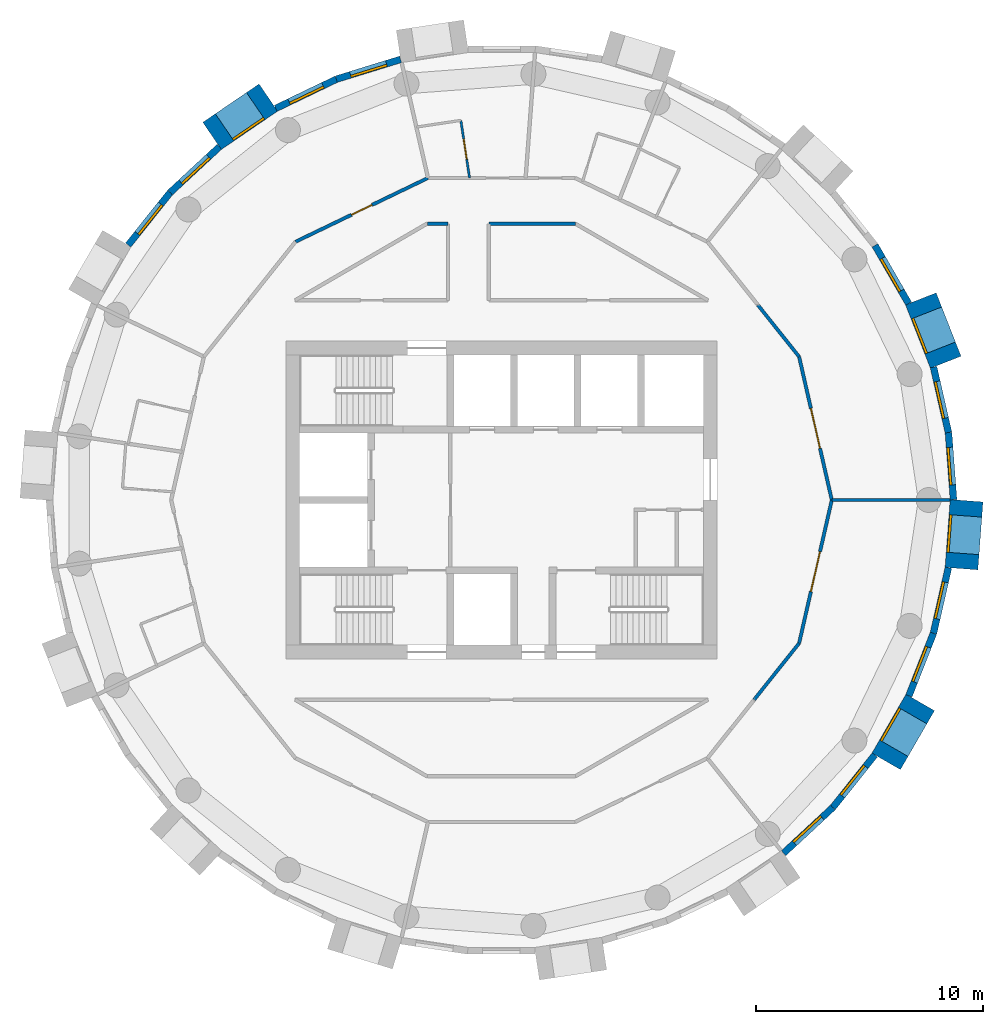
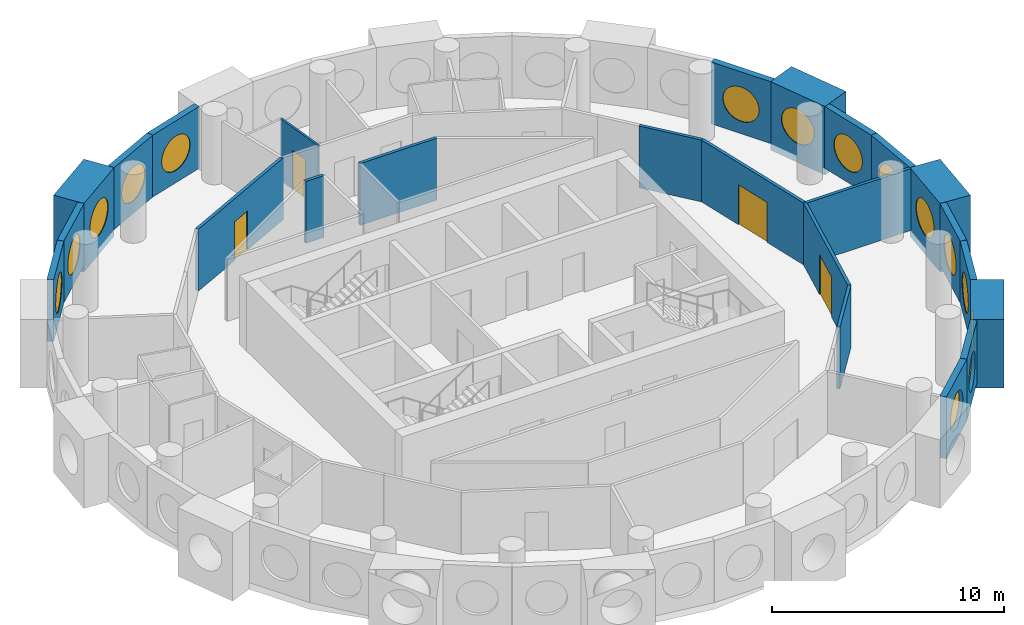
# One storey, part 9 of 12: 24 walls, 15 windows, 4 doors, 19 openings.
"""IFC4 building model written with IfcOpenShell, lengths in metres."""

import ifcopenshell
import ifcopenshell.guid

model = None  # the IFC model being written
_history = None  # IfcOwnerHistory: only IFC2X3 demands one
_inside = {}  # id of a spatial element -> (the spatial element, [elements in it])
_under = {}  # id of a project, library or spatial element -> (it, [spatial elements below it])
_declared = {}  # id of a project -> (the project, [libraries it declares])
_typed = {}  # id of a type object -> (the type object, [elements of that type])
_made_of = {}  # id of a material, layer set ... -> (it, [elements and type objects made of it])


def new_model(schema):
    """Start an empty IFC model of exactly this schema.

    Asked for "IFC4X3", IfcOpenShell would pick the latest addendum, in which some entities
    have other attributes; the version numbers below select the first issue.
    IFC2X3 requires an IfcOwnerHistory on every rooted entity: one is made here for all.
    """
    global model, _history
    if schema == "IFC4X3":
        model = ifcopenshell.file(schema_version=(4, 3, 0, 0))
    else:
        model = ifcopenshell.file(schema=schema)
    _inside.clear()
    _under.clear()
    _declared.clear()
    _typed.clear()
    _made_of.clear()
    _history = None
    if model.schema == "IFC2X3":
        org = make("IfcOrganization", Name="unknown")
        user = make(
            "IfcPersonAndOrganization",
            ThePerson=make("IfcPerson", FamilyName="unknown"),
            TheOrganization=org,
        )
        app = make(
            "IfcApplication",
            ApplicationDeveloper=org,
            Version="unknown",
            ApplicationFullName="unknown",
            ApplicationIdentifier="unknown",
        )
        _history = make(
            "IfcOwnerHistory",
            OwningUser=user,
            OwningApplication=app,
            ChangeAction="ADDED",
            CreationDate=0,
        )
    return model


def make(cls, **values):
    """One entity of the class cls with the attributes given. An attribute that is None is left unset."""
    return model.create_entity(
        cls, **{name: value for name, value in values.items() if value is not None}
    )


def rooted(cls, **values):
    """An entity with a GlobalId (a new one), such as an element, a storey or a relation."""
    return make(cls, GlobalId=ifcopenshell.guid.new(), OwnerHistory=_history, **values)


def si_unit(unit_type, name, prefix=None):
    """IfcSIUnit, for example si_unit("LENGTHUNIT", "METRE", prefix="MILLI")."""
    return make("IfcSIUnit", UnitType=unit_type, Prefix=prefix, Name=name)


def assignment(units):
    """IfcUnitAssignment: the units of a project."""
    return None if units is None else make("IfcUnitAssignment", Units=units)


def point(xyz):
    """IfcCartesianPoint."""
    return None if xyz is None else make("IfcCartesianPoint", Coordinates=xyz)


def direction(xyz):
    """IfcDirection."""
    return None if xyz is None else make("IfcDirection", DirectionRatios=xyz)


def frame(location, z_axis=None, x_axis=None):
    """IfcAxis2Placement3D, a coordinate frame: its origin and axes. An axis left out is left unset."""
    return make(
        "IfcAxis2Placement3D",
        Location=point(location),
        Axis=direction(z_axis),
        RefDirection=direction(x_axis),
    )


def frame_2d(location, x_axis=None):
    """IfcAxis2Placement2D, a coordinate frame in the plane: its origin and x axis."""
    return make(
        "IfcAxis2Placement2D", Location=point(location), RefDirection=direction(x_axis)
    )


def origin():
    """The frame at (0, 0, 0) with its axes left unset."""
    return frame((0.0, 0.0, 0.0))


def origin_2d():
    """The frame at (0, 0) in the plane with its x axis left unset."""
    return frame_2d((0.0, 0.0))


def place(relative_to, where):
    """IfcLocalPlacement: puts the frame where relative to a parent placement (None: the world)."""
    return make(
        "IfcLocalPlacement", PlacementRelTo=relative_to, RelativePlacement=where
    )


def context(
    kind, dimensions, precision=None, world=None, true_north=None, identifier=None
):
    """IfcGeometricRepresentationContext, for example the 3D "Model" context."""
    return make(
        "IfcGeometricRepresentationContext",
        ContextIdentifier=identifier,
        ContextType=kind,
        CoordinateSpaceDimension=dimensions,
        Precision=precision,
        WorldCoordinateSystem=world,
        TrueNorth=true_north,
    )


def subcontext(parent, identifier, kind, view, scale=None):
    """IfcGeometricRepresentationSubContext, for example "Body" below "Model"."""
    return make(
        "IfcGeometricRepresentationSubContext",
        ContextIdentifier=identifier,
        ContextType=kind,
        ParentContext=parent,
        TargetScale=scale,
        TargetView=view,
    )


def project(units=None, contexts=None):
    """IfcProject with its units and contexts."""
    return rooted(
        "IfcProject",
        Name="project",
        RepresentationContexts=contexts,
        UnitsInContext=assignment(units),
    )


def spatial(cls, under=None, at=None, **own):
    """A site, building, storey or space (cls), placed at a placement, below another one or the project."""
    s = rooted(cls, ObjectPlacement=at, **own)
    if under is not None:
        _under.setdefault(under.id(), (under, []))[1].append(s)
    return s


def profile(cls, at=None, kind="AREA", **sizes):
    """A parametric profile (cls). Its sizes go by their IFC names, for example OverallWidth=200.0."""
    return make(cls, ProfileType=kind, Position=at, **sizes)


def rectangle(**sizes):
    """IfcRectangleProfileDef."""
    return profile("IfcRectangleProfileDef", **sizes)


def circle(**sizes):
    """IfcCircleProfileDef."""
    return profile("IfcCircleProfileDef", **sizes)


def extrude(swept, where, along, depth):
    """IfcExtrudedAreaSolid: the profile swept, set in the frame where, extruded along a direction by depth."""
    return make(
        "IfcExtrudedAreaSolid",
        SweptArea=swept,
        Position=where,
        ExtrudedDirection=direction(along),
        Depth=depth,
    )


def shape(context_of_items, identifier, shape_type, items):
    """IfcShapeRepresentation: the items that make up one representation, for example the "Body"."""
    return make(
        "IfcShapeRepresentation",
        ContextOfItems=context_of_items,
        RepresentationIdentifier=identifier,
        RepresentationType=shape_type,
        Items=items,
    )


def material(Name=None, Category=None):
    """IfcMaterial."""
    return make("IfcMaterial", Name=Name, Category=Category)


def layer(
    of_material, thickness, ventilated=None, Name=None, Category=None, Priority=None
):
    """IfcMaterialLayer: one layer of a wall or slab, of a material (None: an air gap)."""
    return make(
        "IfcMaterialLayer",
        Material=of_material,
        LayerThickness=thickness,
        IsVentilated=ventilated,
        Name=Name,
        Category=Category,
        Priority=Priority,
    )


def layer_set(layers, Name=None):
    """IfcMaterialLayerSet."""
    return make("IfcMaterialLayerSet", MaterialLayers=layers, LayerSetName=Name)


def made_of(thing, what):
    """Note that an element or type object is made of a material, layer set ...; save() writes the relation."""
    if what is not None:
        _made_of.setdefault(what.id(), (what, []))[1].append(thing)
    return thing


def type_object(cls, material=None, **own):
    """A type object (cls), such as IfcWallType, which elements share."""
    return made_of(rooted(cls, **own), material)


def element(
    cls,
    number,
    at=None,
    inside=None,
    cuts=None,
    type_object=None,
    material=None,
    context=None,
    identifier="Body",
    shape_type=None,
    held_by="IfcProductDefinitionShape",
    body=None,
    shapes=None,
    **own,
):
    """One element of the class cls, such as IfcWall. Its Tag is "e" and its number.

    at: its placement. inside: the storey or other place that contains it. cuts: it is an
    opening in that element (IfcRelVoidsElement). A single representation is given by context,
    identifier, shape_type and body (its items); several are given by shapes. held_by: the class
    of the entity that holds the representations. save() writes the other relations.
    """
    e = rooted(cls, Tag="e%d" % number, ObjectPlacement=at, **own)
    if body is not None:
        shapes = [shape(context, identifier, shape_type, body)]
    if shapes is not None:
        e.Representation = make(held_by, Representations=shapes)
    if inside is not None:
        _inside.setdefault(inside.id(), (inside, []))[1].append(e)
    if cuts is not None:
        rooted(
            "IfcRelVoidsElement", RelatingBuildingElement=cuts, RelatedOpeningElement=e
        )
    if type_object is not None:
        _typed.setdefault(type_object.id(), (type_object, []))[1].append(e)
    return made_of(e, material)


def fill(opening, filler):
    """IfcRelFillsElement: the door or window that sits in an opening."""
    return rooted(
        "IfcRelFillsElement",
        RelatingOpeningElement=opening,
        RelatedBuildingElement=filler,
    )


def aggregate(whole, parts):
    """IfcRelAggregates: a whole, such as a stair, and the parts it consists of."""
    return rooted("IfcRelAggregates", RelatingObject=whole, RelatedObjects=parts)


def save(model, path):
    """Write the relations noted so far, then the file.

    IfcRelAggregates (storeys below a building ...), IfcRelContainedInSpatialStructure (elements
    in a storey), IfcRelDefinesByType, IfcRelAssociatesMaterial and IfcRelDeclares: one each for
    every whole, place, type object, material and project.
    """
    for whole, parts in _under.values():
        aggregate(whole, parts)
    for where, things in _inside.values():
        rooted(
            "IfcRelContainedInSpatialStructure",
            RelatedElements=things,
            RelatingStructure=where,
        )
    for kind, things in _typed.values():
        rooted("IfcRelDefinesByType", RelatedObjects=things, RelatingType=kind)
    for what, things in _made_of.values():
        rooted("IfcRelAssociatesMaterial", RelatedObjects=things, RelatingMaterial=what)
    for by, libraries in _declared.values():
        rooted("IfcRelDeclares", RelatingContext=by, RelatedDefinitions=libraries)
    model.write(path)


model = new_model("IFC4")

# Units and contexts
model_context = context("Model", 3, precision=1e-05, world=origin(), true_north=direction((0.0, 1.0)))
body_context = subcontext(model_context, "Body", "Model", "MODEL_VIEW")
ifc_project = project(units=[si_unit("LENGTHUNIT", "METRE"), si_unit("AREAUNIT", "SQUARE_METRE"), si_unit("VOLUMEUNIT", "CUBIC_METRE"), si_unit("PLANEANGLEUNIT", "RADIAN"), si_unit("MASSUNIT", "GRAM", prefix="KILO")], contexts=[model_context])

# Site, building, storey
site_placement = place(None, origin())
site = spatial("IfcSite", under=ifc_project, at=site_placement, CompositionType="ELEMENT")
building_placement = place(site_placement, origin())
building = spatial("IfcBuilding", under=site, at=building_placement, Name="Tracery Tower", CompositionType="ELEMENT")
storey_placement = place(building_placement, frame((0.0, 0.0, 241.800048828125)))
storey = spatial("IfcBuildingStorey", under=building, at=storey_placement, Name="L62", CompositionType="ELEMENT", Elevation=241.800048828125)

# Wall, opening, window
ifc_material_1 = material(Name="Precast concrete C50/60", Category="concrete")
ifc_layer_1 = layer(ifc_material_1, 1.449951171875)
ifc_layer_set_1 = layer_set([ifc_layer_1], Name="Deep-set bay unit 3000 x 3600, slab edge 350")
wall_type_1 = type_object("IfcWallType", Name="Deep-set bay unit 3000 x 3600, slab edge 350", PredefinedType="ELEMENTEDWALL", material=ifc_layer_set_1)
wall_1_placement = place(storey_placement, frame((19.576171875, 6.071533203125, -0.35009765625), z_axis=(0.0, 0.0, 1.0), x_axis=(-0.36537792632, 0.93085926485, 0.0)))
wall_1 = element("IfcWall", 1, at=wall_1_placement, inside=storey, type_object=wall_type_1, Name="Deep-set bay unit 3 at L62", PredefinedType="ELEMENTEDWALL", context=body_context, shape_type="SweptSolid", body=[
    extrude(rectangle(XDim=3.000244140625, YDim=1.449951171875, at=frame_2d((1.5, 0.0))), origin(), (0.0, 0.0, 1.0), 3.60009765625),
])
opening_1_placement = place(wall_1_placement, frame((1.5, 0.0, 1.89990234375)))
opening_1 = element("IfcOpeningElement", 2, at=opening_1_placement, cuts=wall_1, Name="Opening WN1", PredefinedType="OPENING", context=body_context, shape_type="SweptSolid", body=[
    extrude(circle(Radius=0.9000244140625, at=origin_2d()), frame((0.0, 0.73486328125, 0.0), z_axis=(0.0, -1.0, 0.0), x_axis=(1.0, 0.0, 0.0)), (0.0, 0.0, 1.0), 1.469970703125),
])
ifc_material_2 = material(Name="Aluminium frame with tinted double glazing", Category="aluminium")
window_type = type_object("IfcWindowType", Name="Round window 1800", PartitioningType="SINGLE_PANEL", PredefinedType="WINDOW", material=ifc_material_2)
window_1_placement = place(opening_1_placement, origin())
window_1 = element("IfcWindow", 3, at=window_1_placement, inside=storey, type_object=window_type, Name="Round window 3 at L62", OverallHeight=1.800048828125, OverallWidth=1.800048828125, PartitioningType="SINGLE_PANEL", PredefinedType="WINDOW", context=body_context, shape_type="SweptSolid", body=[
    extrude(circle(Radius=0.9000244140625, at=origin_2d()), frame((0.0, 0.69482421875, 0.0), z_axis=(0.0, -1.0, 0.0), x_axis=(1.0, 0.0, 0.0)), (0.0, 0.0, 1.0), 0.10009765625),
])
fill(opening_1, window_1)

wall_2_placement = place(storey_placement, frame((-10.275390625, 17.734130859375, -0.35009765625), z_axis=(0.0, 0.0, 1.0), x_axis=(-0.826246281157, -0.563309047392, 0.0)))
wall_2 = element("IfcWall", 4, at=wall_2_placement, inside=storey, type_object=wall_type_1, Name="Deep-set bay unit 15 at L62", PredefinedType="ELEMENTEDWALL", context=body_context, shape_type="SweptSolid", body=[
    extrude(rectangle(XDim=3.0, YDim=1.449951171875, at=frame_2d((1.5, 0.0))), origin(), (0.0, 0.0, 1.0), 3.60009765625),
])
opening_2_placement = place(wall_2_placement, frame((1.5, 0.0, 1.89990234375)))
opening_2 = element("IfcOpeningElement", 5, at=opening_2_placement, cuts=wall_2, Name="Opening WN1", PredefinedType="OPENING", context=body_context, shape_type="SweptSolid", body=[
    extrude(circle(Radius=0.9000244140625, at=origin_2d()), frame((0.0, 0.73486328125, 0.0), z_axis=(0.0, -1.0, 0.0), x_axis=(1.0, 0.0, 0.0)), (0.0, 0.0, 1.0), 1.469970703125),
])
window_2_placement = place(opening_2_placement, origin())
window_2 = element("IfcWindow", 6, at=window_2_placement, inside=storey, type_object=window_type, Name="Round window 15 at L62", OverallHeight=1.800048828125, OverallWidth=1.800048828125, PartitioningType="SINGLE_PANEL", PredefinedType="WINDOW", context=body_context, shape_type="SweptSolid", body=[
    extrude(circle(Radius=0.9000244140625, at=origin_2d()), frame((0.0, 0.69482421875, 0.0), z_axis=(0.0, -1.0, 0.0), x_axis=(1.0, 0.0, 0.0)), (0.0, 0.0, 1.0), 0.10009765625),
])
fill(opening_2, window_2)

wall_3_placement = place(storey_placement, frame((16.952392578125, -11.51953125, -0.35009765625), z_axis=(0.0, 0.0, 1.0), x_axis=(0.499990139034, 0.866031096941, 0.0)))
wall_3 = element("IfcWall", 7, at=wall_3_placement, inside=storey, type_object=wall_type_1, Name="Deep-set bay unit 39 at L62", PredefinedType="ELEMENTEDWALL", context=body_context, shape_type="SweptSolid", body=[
    extrude(rectangle(XDim=3.0, YDim=1.449951171875, at=frame_2d((1.5, 0.0))), origin(), (0.0, 0.0, 1.0), 3.60009765625),
])
opening_3_placement = place(wall_3_placement, frame((1.5, 0.0, 1.89990234375)))
opening_3 = element("IfcOpeningElement", 8, at=opening_3_placement, cuts=wall_3, Name="Opening WN1", PredefinedType="OPENING", context=body_context, shape_type="SweptSolid", body=[
    extrude(circle(Radius=0.9000244140625, at=origin_2d()), frame((0.0, 0.73486328125, 0.0), z_axis=(0.0, -1.0, 0.0), x_axis=(1.0, 0.0, 0.0)), (0.0, 0.0, 1.0), 1.469970703125),
])
window_3_placement = place(opening_3_placement, origin())
window_3 = element("IfcWindow", 9, at=window_3_placement, inside=storey, type_object=window_type, Name="Round window 39 at L62", OverallHeight=1.800048828125, OverallWidth=1.800048828125, PartitioningType="SINGLE_PANEL", PredefinedType="WINDOW", context=body_context, shape_type="SweptSolid", body=[
    extrude(circle(Radius=0.9000244140625, at=origin_2d()), frame((0.0, 0.69482421875, 0.0), z_axis=(0.0, -1.0, 0.0), x_axis=(1.0, 0.0, 0.0)), (0.0, 0.0, 1.0), 0.10009765625),
])
fill(opening_3, window_3)

wall_4_placement = place(storey_placement, frame((20.271728515625, -3.0234375, -0.35009765625), z_axis=(0.0, 0.0, 1.0), x_axis=(0.074785902127, 0.997199613339, 0.0)))
wall_4 = element("IfcWall", 10, at=wall_4_placement, inside=storey, type_object=wall_type_1, Name="Deep-set bay unit 42 at L62", PredefinedType="ELEMENTEDWALL", context=body_context, shape_type="SweptSolid", body=[
    extrude(rectangle(XDim=3.0, YDim=1.449951171875, at=frame_2d((1.5, 0.0))), origin(), (0.0, 0.0, 1.0), 3.60009765625),
])
opening_4_placement = place(wall_4_placement, frame((1.5, 0.0, 1.89990234375)))
opening_4 = element("IfcOpeningElement", 11, at=opening_4_placement, cuts=wall_4, Name="Opening WN1", PredefinedType="OPENING", context=body_context, shape_type="SweptSolid", body=[
    extrude(circle(Radius=0.9000244140625, at=origin_2d()), frame((0.0, 0.73486328125, 0.0), z_axis=(0.0, -1.0, 0.0), x_axis=(1.0, 0.0, 0.0)), (0.0, 0.0, 1.0), 1.469970703125),
])
window_4_placement = place(opening_4_placement, origin())
window_4 = element("IfcWindow", 12, at=window_4_placement, inside=storey, type_object=window_type, Name="Round window 42 at L62", OverallHeight=1.800048828125, OverallWidth=1.800048828125, PartitioningType="SINGLE_PANEL", PredefinedType="WINDOW", context=body_context, shape_type="SweptSolid", body=[
    extrude(circle(Radius=0.9000244140625, at=origin_2d()), frame((0.0, 0.69482421875, 0.0), z_axis=(0.0, -1.0, 0.0), x_axis=(1.0, 0.0, 0.0)), (0.0, 0.0, 1.0), 0.10009765625),
])
fill(opening_4, window_4)

ifc_material_3 = material(Name="Precast concrete C50/60", Category="concrete")
ifc_layer_2 = layer(ifc_material_3, 0.300048828125)
ifc_layer_set_2 = layer_set([ifc_layer_2], Name="Facade panel 3000 x 3250")
wall_type_2 = type_object("IfcWallType", Name="Facade panel 3000 x 3250", PredefinedType="SOLIDWALL", material=ifc_layer_set_2)
wall_5_placement = place(storey_placement, frame((19.920654296875, 0.01513671875, 0.0), z_axis=(0.0, 0.0, 1.0), x_axis=(-0.07474897196, 0.997202382263, 0.0)))
wall_5 = element("IfcWall", 13, at=wall_5_placement, inside=storey, type_object=wall_type_2, Name="Facade panel 1 at L62", PredefinedType="SOLIDWALL", context=body_context, shape_type="SweptSolid", body=[
    extrude(rectangle(XDim=2.96240234375, YDim=0.300048828125, at=frame_2d((1.481201171875, 0.0))), origin(), (0.0, 0.0, 1.0), 3.25),
])
opening_5_placement = place(wall_5_placement, frame((1.48095703125, 0.0, 1.5498046875)))
opening_5 = element("IfcOpeningElement", 14, at=opening_5_placement, cuts=wall_5, Name="Opening WN1", PredefinedType="OPENING", context=body_context, shape_type="SweptSolid", body=[
    extrude(circle(Radius=0.9000244140625, at=origin_2d()), frame((0.0, 0.159912109375, 0.0), z_axis=(0.0, -1.0, 0.0), x_axis=(1.0, 0.0, 0.0)), (0.0, 0.0, 1.0), 0.320068359375),
])
window_5_placement = place(opening_5_placement, origin())
window_5 = element("IfcWindow", 15, at=window_5_placement, inside=storey, type_object=window_type, Name="Round window 1 at L62", OverallHeight=1.800048828125, OverallWidth=1.800048828125, PartitioningType="SINGLE_PANEL", PredefinedType="WINDOW", context=body_context, shape_type="SweptSolid", body=[
    extrude(circle(Radius=0.9000244140625, at=origin_2d()), frame((0.0, 0.1201171875, 0.0), z_axis=(0.0, -1.0, 0.0), x_axis=(1.0, 0.0, 0.0)), (0.0, 0.0, 1.0), 0.10009765625),
])
fill(opening_5, window_5)

wall_6_placement = place(storey_placement, frame((19.69921875, 2.96923828125, 0.0), z_axis=(0.0, 0.0, 1.0), x_axis=(-0.222529389789, 0.974925982155, 0.0)))
wall_6 = element("IfcWall", 16, at=wall_6_placement, inside=storey, type_object=wall_type_2, Name="Facade panel 2 at L62", PredefinedType="SOLIDWALL", context=body_context, shape_type="SweptSolid", body=[
    extrude(rectangle(XDim=2.962158203125, YDim=0.300048828125, at=frame_2d((1.48095703125, 0.0))), origin(), (0.0, 0.0, 1.0), 3.25),
])
opening_6_placement = place(wall_6_placement, frame((1.48095703125, 0.0, 1.5498046875)))
opening_6 = element("IfcOpeningElement", 17, at=opening_6_placement, cuts=wall_6, Name="Opening WN1", PredefinedType="OPENING", context=body_context, shape_type="SweptSolid", body=[
    extrude(circle(Radius=0.9000244140625, at=origin_2d()), frame((0.0, 0.159912109375, 0.0), z_axis=(0.0, -1.0, 0.0), x_axis=(1.0, 0.0, 0.0)), (0.0, 0.0, 1.0), 0.320068359375),
])
window_6_placement = place(opening_6_placement, origin())
window_6 = element("IfcWindow", 18, at=window_6_placement, inside=storey, type_object=window_type, Name="Round window 2 at L62", OverallHeight=1.800048828125, OverallWidth=1.800048828125, PartitioningType="SINGLE_PANEL", PredefinedType="WINDOW", context=body_context, shape_type="SweptSolid", body=[
    extrude(circle(Radius=0.9000244140625, at=origin_2d()), frame((0.0, 0.1201171875, 0.0), z_axis=(0.0, -1.0, 0.0), x_axis=(1.0, 0.0, 0.0)), (0.0, 0.0, 1.0), 0.10009765625),
])
fill(opening_6, window_6)

wall_7_placement = place(storey_placement, frame((17.941162109375, 8.656982421875, 0.0), z_axis=(0.0, 0.0, 1.0), x_axis=(-0.499950756475, 0.86605383268, 0.0)))
wall_7 = element("IfcWall", 19, at=wall_7_placement, inside=storey, type_object=wall_type_2, Name="Facade panel 4 at L62", PredefinedType="SOLIDWALL", context=body_context, shape_type="SweptSolid", body=[
    extrude(rectangle(XDim=2.962158203125, YDim=0.300048828125, at=frame_2d((1.48095703125, 0.0))), origin(), (0.0, 0.0, 1.0), 3.25),
])
opening_7_placement = place(wall_7_placement, frame((1.48095703125, 0.0, 1.5498046875)))
opening_7 = element("IfcOpeningElement", 20, at=opening_7_placement, cuts=wall_7, Name="Opening WN1", PredefinedType="OPENING", context=body_context, shape_type="SweptSolid", body=[
    extrude(circle(Radius=0.9000244140625, at=origin_2d()), frame((0.0, 0.159912109375, 0.0), z_axis=(0.0, -1.0, 0.0), x_axis=(1.0, 0.0, 0.0)), (0.0, 0.0, 1.0), 0.320068359375),
])
window_7_placement = place(opening_7_placement, origin())
window_7 = element("IfcWindow", 21, at=window_7_placement, inside=storey, type_object=window_type, Name="Round window 4 at L62", OverallHeight=1.800048828125, OverallWidth=1.800048828125, PartitioningType="SINGLE_PANEL", PredefinedType="WINDOW", context=body_context, shape_type="SweptSolid", body=[
    extrude(circle(Radius=0.9000244140625, at=origin_2d()), frame((0.0, 0.1201171875, 0.0), z_axis=(0.0, -1.0, 0.0), x_axis=(1.0, 0.0, 0.0)), (0.0, 0.0, 1.0), 0.10009765625),
])
fill(opening_7, window_7)

wall_8_placement = place(storey_placement, frame((-4.447509765625, 19.417724609375, 0.0), z_axis=(0.0, 0.0, 1.0), x_axis=(-0.95558635705, -0.294711238707, 0.0)))
wall_8 = element("IfcWall", 22, at=wall_8_placement, inside=storey, type_object=wall_type_2, Name="Facade panel 13 at L62", PredefinedType="SOLIDWALL", context=body_context, shape_type="SweptSolid", body=[
    extrude(rectangle(XDim=2.96240234375, YDim=0.300048828125, at=frame_2d((1.481201171875, 0.0))), origin(), (0.0, 0.0, 1.0), 3.25),
])
opening_8_placement = place(wall_8_placement, frame((1.48095703125, 0.0, 1.5498046875)))
opening_8 = element("IfcOpeningElement", 23, at=opening_8_placement, cuts=wall_8, Name="Opening WN1", PredefinedType="OPENING", context=body_context, shape_type="SweptSolid", body=[
    extrude(circle(Radius=0.9000244140625, at=origin_2d()), frame((0.0, 0.159912109375, 0.0), z_axis=(0.0, -1.0, 0.0), x_axis=(1.0, 0.0, 0.0)), (0.0, 0.0, 1.0), 0.320068359375),
])
window_8_placement = place(opening_8_placement, origin())
window_8 = element("IfcWindow", 24, at=window_8_placement, inside=storey, type_object=window_type, Name="Round window 13 at L62", OverallHeight=1.800048828125, OverallWidth=1.800048828125, PartitioningType="SINGLE_PANEL", PredefinedType="WINDOW", context=body_context, shape_type="SweptSolid", body=[
    extrude(circle(Radius=0.9000244140625, at=origin_2d()), frame((0.0, 0.1201171875, 0.0), z_axis=(0.0, -1.0, 0.0), x_axis=(1.0, 0.0, 0.0)), (0.0, 0.0, 1.0), 0.10009765625),
])
fill(opening_8, window_8)

wall_9_placement = place(storey_placement, frame((-7.2783203125, 18.544677734375, 0.0), z_axis=(0.0, 0.0, 1.0), x_axis=(-0.900939615635, -0.433944476838, 0.0)))
wall_9 = element("IfcWall", 25, at=wall_9_placement, inside=storey, type_object=wall_type_2, Name="Facade panel 14 at L62", PredefinedType="SOLIDWALL", context=body_context, shape_type="SweptSolid", body=[
    extrude(rectangle(XDim=2.962158203125, YDim=0.300048828125, at=frame_2d((1.48095703125, 0.0))), origin(), (0.0, 0.0, 1.0), 3.25),
])
opening_9_placement = place(wall_9_placement, frame((1.48095703125, 0.0, 1.5498046875)))
opening_9 = element("IfcOpeningElement", 26, at=opening_9_placement, cuts=wall_9, Name="Opening WN1", PredefinedType="OPENING", context=body_context, shape_type="SweptSolid", body=[
    extrude(circle(Radius=0.9000244140625, at=origin_2d()), frame((0.0, 0.159912109375, 0.0), z_axis=(0.0, -1.0, 0.0), x_axis=(1.0, 0.0, 0.0)), (0.0, 0.0, 1.0), 0.320068359375),
])
window_9_placement = place(opening_9_placement, origin())
window_9 = element("IfcWindow", 27, at=window_9_placement, inside=storey, type_object=window_type, Name="Round window 14 at L62", OverallHeight=1.800048828125, OverallWidth=1.800048828125, PartitioningType="SINGLE_PANEL", PredefinedType="WINDOW", context=body_context, shape_type="SweptSolid", body=[
    extrude(circle(Radius=0.9000244140625, at=origin_2d()), frame((0.0, 0.1201171875, 0.0), z_axis=(0.0, -1.0, 0.0), x_axis=(1.0, 0.0, 0.0)), (0.0, 0.0, 1.0), 0.10009765625),
])
fill(opening_9, window_9)

wall_10_placement = place(storey_placement, frame((-12.43212890625, 15.565185546875, 0.0), z_axis=(0.0, 0.0, 1.0), x_axis=(-0.733066412643, -0.680157066165, 0.0)))
wall_10 = element("IfcWall", 28, at=wall_10_placement, inside=storey, type_object=wall_type_2, Name="Facade panel 16 at L62", PredefinedType="SOLIDWALL", context=body_context, shape_type="SweptSolid", body=[
    extrude(rectangle(XDim=2.96240234375, YDim=0.300048828125, at=frame_2d((1.481201171875, 0.0))), origin(), (0.0, 0.0, 1.0), 3.25),
])
opening_10_placement = place(wall_10_placement, frame((1.48095703125, 0.0, 1.5498046875)))
opening_10 = element("IfcOpeningElement", 29, at=opening_10_placement, cuts=wall_10, Name="Opening WN1", PredefinedType="OPENING", context=body_context, shape_type="SweptSolid", body=[
    extrude(circle(Radius=0.9000244140625, at=origin_2d()), frame((0.0, 0.159912109375, 0.0), z_axis=(0.0, -1.0, 0.0), x_axis=(1.0, 0.0, 0.0)), (0.0, 0.0, 1.0), 0.320068359375),
])
window_10_placement = place(opening_10_placement, origin())
window_10 = element("IfcWindow", 30, at=window_10_placement, inside=storey, type_object=window_type, Name="Round window 16 at L62", OverallHeight=1.800048828125, OverallWidth=1.800048828125, PartitioningType="SINGLE_PANEL", PredefinedType="WINDOW", context=body_context, shape_type="SweptSolid", body=[
    extrude(circle(Radius=0.9000244140625, at=origin_2d()), frame((0.0, 0.1201171875, 0.0), z_axis=(0.0, -1.0, 0.0), x_axis=(1.0, 0.0, 0.0)), (0.0, 0.0, 1.0), 0.10009765625),
])
fill(opening_10, window_10)

wall_11_placement = place(storey_placement, frame((-14.603759765625, 13.55029296875, 0.0), z_axis=(0.0, 0.0, 1.0), x_axis=(-0.623498236992, -0.781824755599, 0.0)))
wall_11 = element("IfcWall", 31, at=wall_11_placement, inside=storey, type_object=wall_type_2, Name="Facade panel 17 at L62", PredefinedType="SOLIDWALL", context=body_context, shape_type="SweptSolid", body=[
    extrude(rectangle(XDim=2.962158203125, YDim=0.300048828125, at=frame_2d((1.48095703125, 0.0))), origin(), (0.0, 0.0, 1.0), 3.25),
])
opening_11_placement = place(wall_11_placement, frame((1.48095703125, 0.0, 1.5498046875)))
opening_11 = element("IfcOpeningElement", 32, at=opening_11_placement, cuts=wall_11, Name="Opening WN1", PredefinedType="OPENING", context=body_context, shape_type="SweptSolid", body=[
    extrude(circle(Radius=0.9000244140625, at=origin_2d()), frame((0.0, 0.159912109375, 0.0), z_axis=(0.0, -1.0, 0.0), x_axis=(1.0, 0.0, 0.0)), (0.0, 0.0, 1.0), 0.320068359375),
])
window_11_placement = place(opening_11_placement, origin())
window_11 = element("IfcWindow", 33, at=window_11_placement, inside=storey, type_object=window_type, Name="Round window 17 at L62", OverallHeight=1.800048828125, OverallWidth=1.800048828125, PartitioningType="SINGLE_PANEL", PredefinedType="WINDOW", context=body_context, shape_type="SweptSolid", body=[
    extrude(circle(Radius=0.9000244140625, at=origin_2d()), frame((0.0, 0.1201171875, 0.0), z_axis=(0.0, -1.0, 0.0), x_axis=(1.0, 0.0, 0.0)), (0.0, 0.0, 1.0), 0.10009765625),
])
fill(opening_11, window_11)

wall_12_placement = place(storey_placement, frame((12.43212890625, -15.565185546875, 0.0), z_axis=(0.0, 0.0, 1.0), x_axis=(0.733066412643, 0.680157066165, 0.0)))
wall_12 = element("IfcWall", 34, at=wall_12_placement, inside=storey, type_object=wall_type_2, Name="Facade panel 37 at L62", PredefinedType="SOLIDWALL", context=body_context, shape_type="SweptSolid", body=[
    extrude(rectangle(XDim=2.96240234375, YDim=0.300048828125, at=frame_2d((1.481201171875, 0.0))), origin(), (0.0, 0.0, 1.0), 3.25),
])
opening_12_placement = place(wall_12_placement, frame((1.48095703125, 0.0, 1.5498046875)))
opening_12 = element("IfcOpeningElement", 35, at=opening_12_placement, cuts=wall_12, Name="Opening WN1", PredefinedType="OPENING", context=body_context, shape_type="SweptSolid", body=[
    extrude(circle(Radius=0.9000244140625, at=origin_2d()), frame((0.0, 0.159912109375, 0.0), z_axis=(0.0, -1.0, 0.0), x_axis=(1.0, 0.0, 0.0)), (0.0, 0.0, 1.0), 0.320068359375),
])
window_12_placement = place(opening_12_placement, origin())
window_12 = element("IfcWindow", 36, at=window_12_placement, inside=storey, type_object=window_type, Name="Round window 37 at L62", OverallHeight=1.800048828125, OverallWidth=1.800048828125, PartitioningType="SINGLE_PANEL", PredefinedType="WINDOW", context=body_context, shape_type="SweptSolid", body=[
    extrude(circle(Radius=0.9000244140625, at=origin_2d()), frame((0.0, 0.1201171875, 0.0), z_axis=(0.0, -1.0, 0.0), x_axis=(1.0, 0.0, 0.0)), (0.0, 0.0, 1.0), 0.10009765625),
])
fill(opening_12, window_12)

wall_13_placement = place(storey_placement, frame((14.603759765625, -13.55029296875, 0.0), z_axis=(0.0, 0.0, 1.0), x_axis=(0.623498236992, 0.781824755599, 0.0)))
wall_13 = element("IfcWall", 37, at=wall_13_placement, inside=storey, type_object=wall_type_2, Name="Facade panel 38 at L62", PredefinedType="SOLIDWALL", context=body_context, shape_type="SweptSolid", body=[
    extrude(rectangle(XDim=2.962158203125, YDim=0.300048828125, at=frame_2d((1.48095703125, 0.0))), origin(), (0.0, 0.0, 1.0), 3.25),
])
opening_13_placement = place(wall_13_placement, frame((1.48095703125, 0.0, 1.5498046875)))
opening_13 = element("IfcOpeningElement", 38, at=opening_13_placement, cuts=wall_13, Name="Opening WN1", PredefinedType="OPENING", context=body_context, shape_type="SweptSolid", body=[
    extrude(circle(Radius=0.9000244140625, at=origin_2d()), frame((0.0, 0.159912109375, 0.0), z_axis=(0.0, -1.0, 0.0), x_axis=(1.0, 0.0, 0.0)), (0.0, 0.0, 1.0), 0.320068359375),
])
window_13_placement = place(opening_13_placement, origin())
window_13 = element("IfcWindow", 39, at=window_13_placement, inside=storey, type_object=window_type, Name="Round window 38 at L62", OverallHeight=1.800048828125, OverallWidth=1.800048828125, PartitioningType="SINGLE_PANEL", PredefinedType="WINDOW", context=body_context, shape_type="SweptSolid", body=[
    extrude(circle(Radius=0.9000244140625, at=origin_2d()), frame((0.0, 0.1201171875, 0.0), z_axis=(0.0, -1.0, 0.0), x_axis=(1.0, 0.0, 0.0)), (0.0, 0.0, 1.0), 0.10009765625),
])
fill(opening_13, window_13)

wall_14_placement = place(storey_placement, frame((17.95458984375, -8.62939453125, 0.0), z_axis=(0.0, 0.0, 1.0), x_axis=(0.36530043032, 0.930889679612, 0.0)))
wall_14 = element("IfcWall", 40, at=wall_14_placement, inside=storey, type_object=wall_type_2, Name="Facade panel 40 at L62", PredefinedType="SOLIDWALL", context=body_context, shape_type="SweptSolid", body=[
    extrude(rectangle(XDim=2.9619140625, YDim=0.300048828125, at=frame_2d((1.48095703125, 0.0))), origin(), (0.0, 0.0, 1.0), 3.25),
])
opening_14_placement = place(wall_14_placement, frame((1.48095703125, 0.0, 1.5498046875)))
opening_14 = element("IfcOpeningElement", 41, at=opening_14_placement, cuts=wall_14, Name="Opening WN1", PredefinedType="OPENING", context=body_context, shape_type="SweptSolid", body=[
    extrude(circle(Radius=0.9000244140625, at=origin_2d()), frame((0.0, 0.159912109375, 0.0), z_axis=(0.0, -1.0, 0.0), x_axis=(1.0, 0.0, 0.0)), (0.0, 0.0, 1.0), 0.320068359375),
])
window_14_placement = place(opening_14_placement, origin())
window_14 = element("IfcWindow", 42, at=window_14_placement, inside=storey, type_object=window_type, Name="Round window 40 at L62", OverallHeight=1.800048828125, OverallWidth=1.800048828125, PartitioningType="SINGLE_PANEL", PredefinedType="WINDOW", context=body_context, shape_type="SweptSolid", body=[
    extrude(circle(Radius=0.9000244140625, at=origin_2d()), frame((0.0, 0.1201171875, 0.0), z_axis=(0.0, -1.0, 0.0), x_axis=(1.0, 0.0, 0.0)), (0.0, 0.0, 1.0), 0.10009765625),
])
fill(opening_14, window_14)

wall_15_placement = place(storey_placement, frame((19.03662109375, -5.8720703125, 0.0), z_axis=(0.0, 0.0, 1.0), x_axis=(0.222529389789, 0.974925982155, 0.0)))
wall_15 = element("IfcWall", 43, at=wall_15_placement, inside=storey, type_object=wall_type_2, Name="Facade panel 41 at L62", PredefinedType="SOLIDWALL", context=body_context, shape_type="SweptSolid", body=[
    extrude(rectangle(XDim=2.962158203125, YDim=0.300048828125, at=frame_2d((1.48095703125, 0.0))), origin(), (0.0, 0.0, 1.0), 3.25),
])
opening_15_placement = place(wall_15_placement, frame((1.48095703125, 0.0, 1.5498046875)))
opening_15 = element("IfcOpeningElement", 44, at=opening_15_placement, cuts=wall_15, Name="Opening WN1", PredefinedType="OPENING", context=body_context, shape_type="SweptSolid", body=[
    extrude(circle(Radius=0.9000244140625, at=origin_2d()), frame((0.0, 0.159912109375, 0.0), z_axis=(0.0, -1.0, 0.0), x_axis=(1.0, 0.0, 0.0)), (0.0, 0.0, 1.0), 0.320068359375),
])
window_15_placement = place(opening_15_placement, origin())
window_15 = element("IfcWindow", 45, at=window_15_placement, inside=storey, type_object=window_type, Name="Round window 41 at L62", OverallHeight=1.800048828125, OverallWidth=1.800048828125, PartitioningType="SINGLE_PANEL", PredefinedType="WINDOW", context=body_context, shape_type="SweptSolid", body=[
    extrude(circle(Radius=0.9000244140625, at=origin_2d()), frame((0.0, 0.1201171875, 0.0), z_axis=(0.0, -1.0, 0.0), x_axis=(1.0, 0.0, 0.0)), (0.0, 0.0, 1.0), 0.10009765625),
])
fill(opening_15, window_15)

# Wall, opening, door
ifc_material_4 = material(Name="Plasterboard on steel studs", Category="steel")
ifc_layer_3 = layer(ifc_material_4, 0.10009765625)
ifc_layer_set_3 = layer_set([ifc_layer_3], Name="Partition 100 wet wall")
wall_type_3 = type_object("IfcWallType", Name="Partition 100 wet wall", PredefinedType="PARTITIONING", material=ifc_layer_set_3)
wall_16_placement = place(storey_placement, frame((-1.791015625, 16.72900390625, 0.0), z_axis=(0.0, 0.0, 1.0), x_axis=(0.149289553133, -0.988793522089, 0.0)))
wall_16 = element("IfcWall", 46, at=wall_16_placement, inside=storey, type_object=wall_type_3, Name="Wet wall RC2-052", PredefinedType="PARTITIONING", context=body_context, shape_type="SweptSolid", body=[
    extrude(rectangle(XDim=2.56591796875, YDim=0.10009765625, at=frame_2d((1.282958984375, 0.0))), origin(), (0.0, 0.0, 1.0), 3.25),
])
opening_16_placement = place(wall_16_placement, frame((0.832763671875, 0.0, 0.0)))
opening_16 = element("IfcOpeningElement", 47, at=opening_16_placement, cuts=wall_16, Name="Opening RC2-09", PredefinedType="OPENING", context=body_context, shape_type="SweptSolid", body=[
    extrude(rectangle(XDim=0.89990234375, YDim=2.0400390625, at=frame_2d((0.449951171875, 1.02001953125))), frame((0.0, 0.050048828125, 0.0), z_axis=(0.0, -1.0, 0.0), x_axis=(1.0, 0.0, 0.0)), (0.0, 0.0, 1.0), 0.10009765625),
])
ifc_material_5 = material(Name="Timber door leaf", Category="wood")
door_type_1 = type_object("IfcDoorType", Name="Door en-suite 900", OperationType="NOTDEFINED", PredefinedType="DOOR", material=ifc_material_5)
door_1_placement = place(opening_16_placement, origin())
door_1 = element("IfcDoor", 48, at=door_1_placement, inside=storey, type_object=door_type_1, Name="En-suite door RC2-09", OperationType="SINGLE_SWING_RIGHT", OverallHeight=2.0400390625, OverallWidth=0.89990234375, PredefinedType="DOOR", context=body_context, shape_type="SweptSolid", body=[
    extrude(rectangle(XDim=0.89990234375, YDim=2.0400390625, at=frame_2d((0.449951171875, 1.02001953125))), frame((0.0, 0.02490234375, 0.0), z_axis=(0.0, -1.0, 0.0), x_axis=(1.0, 0.0, 0.0)), (0.0, 0.0, 1.0), 0.050048828125),
])
fill(opening_16, door_1)

# Walls
ifc_material_6 = material(Name="Plasterboard on steel studs", Category="steel")
ifc_layer_4 = layer(ifc_material_6, 0.14990234375)
ifc_layer_set_4 = layer_set([ifc_layer_4], Name="Partition 150 acoustic unit wall")
wall_type_4 = type_object("IfcWallType", Name="Partition 150 acoustic unit wall", PredefinedType="PARTITIONING", material=ifc_layer_set_4)
wall_17_placement = place(storey_placement, frame((14.556884765625, 0.0, 0.0), z_axis=(0.0, 0.0, 1.0), x_axis=(1.0, 0.0, 0.0)))
element("IfcWall", 49, at=wall_17_placement, inside=storey, type_object=wall_type_4, Name="Unit wall RC2-044", PredefinedType="PARTITIONING", context=body_context, shape_type="SweptSolid", body=[
    extrude(rectangle(XDim=5.214111328125, YDim=0.14990234375, at=frame_2d((2.60693359375, 0.0))), origin(), (0.0, 0.0, 1.0), 3.25),
])
ifc_material_7 = material(Name="Plasterboard on steel studs", Category="steel")
ifc_layer_5 = layer(ifc_material_7, 0.14990234375)
ifc_layer_set_5 = layer_set([ifc_layer_5], Name="Partition 150 corridor wall")
wall_type_5 = type_object("IfcWallType", Name="Partition 150 corridor wall", PredefinedType="PARTITIONING", material=ifc_layer_set_5)
wall_18_placement = place(storey_placement, frame((11.300048828125, 8.592041015625, 0.0), z_axis=(0.0, 0.0, 1.0), x_axis=(0.623446514299, -0.781866001185, 0.0)))
element("IfcWall", 50, at=wall_18_placement, inside=storey, type_object=wall_type_5, Name="Corridor wall RC2-020", PredefinedType="PARTITIONING", context=body_context, shape_type="SweptSolid", body=[
    extrude(rectangle(XDim=2.9111328125, YDim=0.14990234375, at=frame_2d((1.45556640625, 0.0))), origin(), (0.0, 0.0, 1.0), 3.25),
])

# Wall, opening, door
wall_19_placement = place(storey_placement, frame((13.114990234375, 6.31591796875, 0.0), z_axis=(0.0, 0.0, 1.0), x_axis=(0.222568978642, -0.97491694505, 0.0)))
wall_19 = element("IfcWall", 51, at=wall_19_placement, inside=storey, type_object=wall_type_5, Name="Corridor wall RC2-021", PredefinedType="PARTITIONING", context=body_context, shape_type="SweptSolid", body=[
    extrude(rectangle(XDim=6.478515625, YDim=0.14990234375, at=frame_2d((3.2392578125, 0.0))), origin(), (0.0, 0.0, 1.0), 3.25),
])
opening_17_placement = place(wall_19_placement, frame((2.339111328125, 0.0, 0.0)))
opening_17 = element("IfcOpeningElement", 52, at=opening_17_placement, cuts=wall_19, Name="Opening RC2-04", PredefinedType="OPENING", context=body_context, shape_type="SweptSolid", body=[
    extrude(rectangle(XDim=1.800048828125, YDim=2.10009765625, at=frame_2d((0.89990234375, 1.050048828125))), frame((0.0, 0.074951171875, 0.0), z_axis=(0.0, -1.0, 0.0), x_axis=(1.0, 0.0, 0.0)), (0.0, 0.0, 1.0), 0.14990234375),
])
ifc_material_8 = material(Name="Timber door leaf", Category="wood")
door_type_2 = type_object("IfcDoorType", Name="Door double lounge 1800", OperationType="NOTDEFINED", PredefinedType="DOOR", material=ifc_material_8)
door_2_placement = place(opening_17_placement, origin())
door_2 = element("IfcDoor", 53, at=door_2_placement, inside=storey, type_object=door_type_2, Name="Double lounge door RC2-04", OperationType="DOUBLE_DOOR_SINGLE_SWING", OverallHeight=2.10009765625, OverallWidth=1.800048828125, PredefinedType="DOOR", context=body_context, shape_type="SweptSolid", body=[
    extrude(rectangle(XDim=1.800048828125, YDim=2.10009765625, at=frame_2d((0.89990234375, 1.050048828125))), frame((0.0, 0.02490234375, 0.0), z_axis=(0.0, -1.0, 0.0), x_axis=(1.0, 0.0, 0.0)), (0.0, 0.0, 1.0), 0.050048828125),
])
fill(opening_17, door_2)

wall_20_placement = place(storey_placement, frame((13.114990234375, -6.31591796875, 0.0), z_axis=(0.0, 0.0, 1.0), x_axis=(0.222568978642, 0.97491694505, 0.0)))
wall_20 = element("IfcWall", 54, at=wall_20_placement, inside=storey, type_object=wall_type_5, Name="Corridor wall RC2-022", PredefinedType="PARTITIONING", context=body_context, shape_type="SweptSolid", body=[
    extrude(rectangle(XDim=6.478515625, YDim=0.14990234375, at=frame_2d((3.2392578125, 0.0))), origin(), (0.0, 0.0, 1.0), 3.25),
])
opening_18_placement = place(wall_20_placement, frame((2.339599609375, 0.0, 0.0)))
opening_18 = element("IfcOpeningElement", 55, at=opening_18_placement, cuts=wall_20, Name="Opening RC2-20", PredefinedType="OPENING", context=body_context, shape_type="SweptSolid", body=[
    extrude(rectangle(XDim=1.800048828125, YDim=2.10009765625, at=frame_2d((0.89990234375, 1.050048828125))), frame((0.0, 0.074951171875, 0.0), z_axis=(0.0, -1.0, 0.0), x_axis=(1.0, 0.0, 0.0)), (0.0, 0.0, 1.0), 0.14990234375),
])
door_3_placement = place(opening_18_placement, origin())
door_3 = element("IfcDoor", 56, at=door_3_placement, inside=storey, type_object=door_type_2, Name="Double lounge door RC2-20", OperationType="DOUBLE_DOOR_SINGLE_SWING", OverallHeight=2.10009765625, OverallWidth=1.800048828125, PredefinedType="DOOR", context=body_context, shape_type="SweptSolid", body=[
    extrude(rectangle(XDim=1.800048828125, YDim=2.10009765625, at=frame_2d((0.89990234375, 1.050048828125))), frame((0.0, 0.02490234375, 0.0), z_axis=(0.0, -1.0, 0.0), x_axis=(1.0, 0.0, 0.0)), (0.0, 0.0, 1.0), 0.050048828125),
])
fill(opening_18, door_3)

# Walls
wall_21_placement = place(storey_placement, frame((11.134033203125, -8.800048828125, 0.0), z_axis=(0.0, 0.0, 1.0), x_axis=(0.623476099415, 0.781842409606, 0.0)))
element("IfcWall", 57, at=wall_21_placement, inside=storey, type_object=wall_type_5, Name="Corridor wall RC2-023", PredefinedType="PARTITIONING", context=body_context, shape_type="SweptSolid", body=[
    extrude(rectangle(XDim=3.17724609375, YDim=0.14990234375, at=frame_2d((1.588623046875, 0.0))), origin(), (0.0, 0.0, 1.0), 3.25),
])
wall_22_placement = place(storey_placement, frame((-3.260986328125, 12.1708984375, 0.0), z_axis=(0.0, 0.0, 1.0), x_axis=(1.0, 0.0, 0.0)))
element("IfcWall", 58, at=wall_22_placement, inside=storey, type_object=wall_type_5, Name="Corridor wall RC2-025", PredefinedType="PARTITIONING", context=body_context, shape_type="SweptSolid", body=[
    extrude(rectangle(XDim=0.905029296875, YDim=0.14990234375, at=frame_2d((0.45263671875, 0.0))), origin(), (0.0, 0.0, 1.0), 3.25),
])
wall_23_placement = place(storey_placement, frame((-0.555908203125, 12.1708984375, 0.0), z_axis=(0.0, 0.0, 1.0), x_axis=(1.0, 0.0, 0.0)))
element("IfcWall", 59, at=wall_23_placement, inside=storey, type_object=wall_type_5, Name="Corridor wall RC2-027", PredefinedType="PARTITIONING", context=body_context, shape_type="SweptSolid", body=[
    extrude(rectangle(XDim=3.81689453125, YDim=0.14990234375, at=frame_2d((1.908447265625, 0.0))), origin(), (0.0, 0.0, 1.0), 3.25),
])

# Wall, opening, door
wall_24_placement = place(storey_placement, frame((-9.075927734375, 11.381103515625, 0.0), z_axis=(0.0, 0.0, 1.0), x_axis=(0.900976027191, 0.433868872388, 0.0)))
wall_24 = element("IfcWall", 60, at=wall_24_placement, inside=storey, type_object=wall_type_5, Name="Corridor wall RC2-032", PredefinedType="PARTITIONING", context=body_context, shape_type="SweptSolid", body=[
    extrude(rectangle(XDim=6.478515625, YDim=0.14990234375, at=frame_2d((3.2392578125, 0.0))), origin(), (0.0, 0.0, 1.0), 3.25),
])
opening_19_placement = place(wall_24_placement, frame((2.739013671875, 0.0, 0.0)))
opening_19 = element("IfcOpeningElement", 61, at=opening_19_placement, cuts=wall_24, Name="Opening RC2-11", PredefinedType="OPENING", context=body_context, shape_type="SweptSolid", body=[
    extrude(rectangle(XDim=1.0, YDim=2.0400390625, at=frame_2d((0.5, 1.02001953125))), frame((0.0, 0.074951171875, 0.0), z_axis=(0.0, -1.0, 0.0), x_axis=(1.0, 0.0, 0.0)), (0.0, 0.0, 1.0), 0.14990234375),
])
ifc_material_9 = material(Name="Timber door leaf", Category="wood")
door_type_3 = type_object("IfcDoorType", Name="Door communal room 1000", OperationType="NOTDEFINED", PredefinedType="DOOR", material=ifc_material_9)
door_4_placement = place(opening_19_placement, origin())
door_4 = element("IfcDoor", 62, at=door_4_placement, inside=storey, type_object=door_type_3, Name="Communal room door RC2-11", OperationType="SINGLE_SWING_LEFT", OverallHeight=2.0400390625, OverallWidth=1.0, PredefinedType="DOOR", context=body_context, shape_type="SweptSolid", body=[
    extrude(rectangle(XDim=1.0, YDim=2.0400390625, at=frame_2d((0.5, 1.02001953125))), frame((0.0, 0.02490234375, 0.0), z_axis=(0.0, -1.0, 0.0), x_axis=(1.0, 0.0, 0.0)), (0.0, 0.0, 1.0), 0.050048828125),
])
fill(opening_19, door_4)

save(model, "model.ifc")
